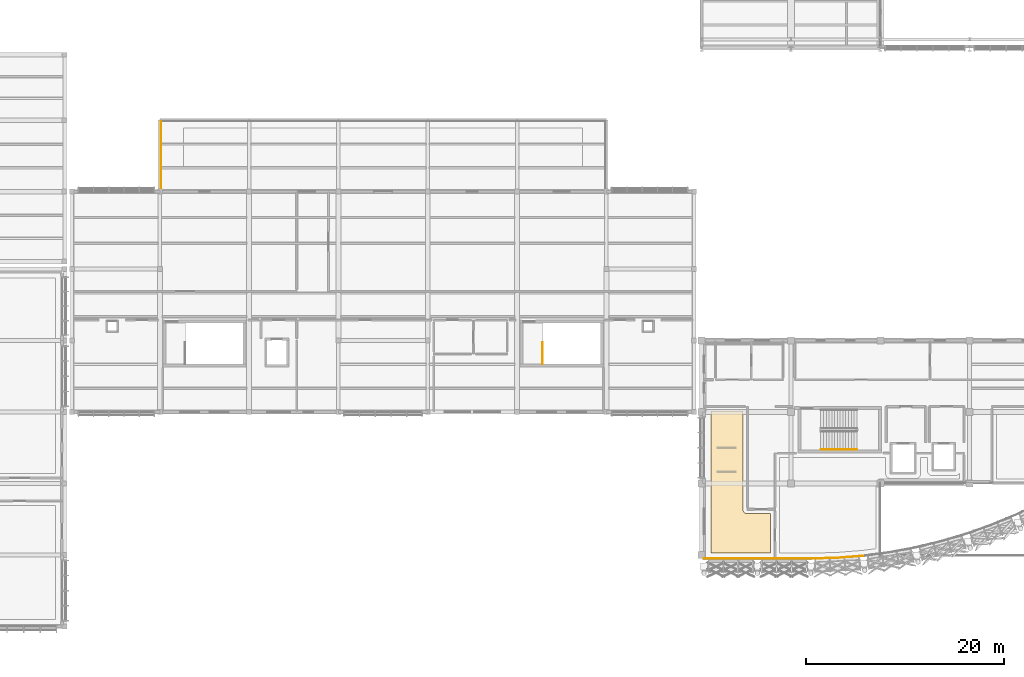
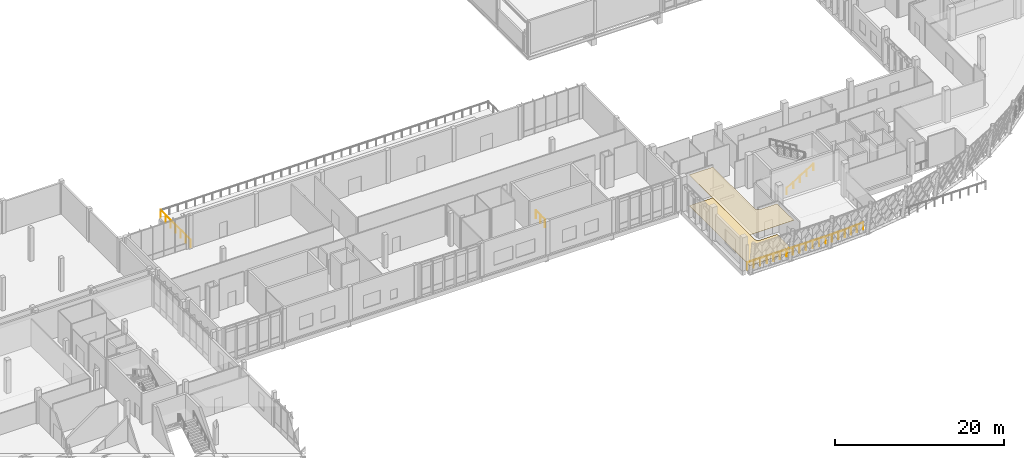
# One storey, part 168 of 177: 9 railings, 2 coverings.
"""IFC4 building model written with IfcOpenShell, lengths in metres."""

import ifcopenshell
import ifcopenshell.guid

model = None  # the IFC model being written
_history = None  # IfcOwnerHistory: only IFC2X3 demands one
_inside = {}  # id of a spatial element -> (the spatial element, [elements in it])
_under = {}  # id of a project, library or spatial element -> (it, [spatial elements below it])
_declared = {}  # id of a project -> (the project, [libraries it declares])
_typed = {}  # id of a type object -> (the type object, [elements of that type])
_made_of = {}  # id of a material, layer set ... -> (it, [elements and type objects made of it])


def new_model(schema):
    """Start an empty IFC model of exactly this schema.

    Asked for "IFC4X3", IfcOpenShell would pick the latest addendum, in which some entities
    have other attributes; the version numbers below select the first issue.
    IFC2X3 requires an IfcOwnerHistory on every rooted entity: one is made here for all.
    """
    global model, _history
    if schema == "IFC4X3":
        model = ifcopenshell.file(schema_version=(4, 3, 0, 0))
    else:
        model = ifcopenshell.file(schema=schema)
    _inside.clear()
    _under.clear()
    _declared.clear()
    _typed.clear()
    _made_of.clear()
    _history = None
    if model.schema == "IFC2X3":
        org = make("IfcOrganization", Name="unknown")
        user = make(
            "IfcPersonAndOrganization",
            ThePerson=make("IfcPerson", FamilyName="unknown"),
            TheOrganization=org,
        )
        app = make(
            "IfcApplication",
            ApplicationDeveloper=org,
            Version="unknown",
            ApplicationFullName="unknown",
            ApplicationIdentifier="unknown",
        )
        _history = make(
            "IfcOwnerHistory",
            OwningUser=user,
            OwningApplication=app,
            ChangeAction="ADDED",
            CreationDate=0,
        )
    return model


def make(cls, **values):
    """One entity of the class cls with the attributes given. An attribute that is None is left unset."""
    return model.create_entity(
        cls, **{name: value for name, value in values.items() if value is not None}
    )


def rooted(cls, **values):
    """An entity with a GlobalId (a new one), such as an element, a storey or a relation."""
    return make(cls, GlobalId=ifcopenshell.guid.new(), OwnerHistory=_history, **values)


def si_unit(unit_type, name, prefix=None):
    """IfcSIUnit, for example si_unit("LENGTHUNIT", "METRE", prefix="MILLI")."""
    return make("IfcSIUnit", UnitType=unit_type, Prefix=prefix, Name=name)


def assignment(units):
    """IfcUnitAssignment: the units of a project."""
    return None if units is None else make("IfcUnitAssignment", Units=units)


def point(xyz):
    """IfcCartesianPoint."""
    return None if xyz is None else make("IfcCartesianPoint", Coordinates=xyz)


def direction(xyz):
    """IfcDirection."""
    return None if xyz is None else make("IfcDirection", DirectionRatios=xyz)


def frame(location, z_axis=None, x_axis=None):
    """IfcAxis2Placement3D, a coordinate frame: its origin and axes. An axis left out is left unset."""
    return make(
        "IfcAxis2Placement3D",
        Location=point(location),
        Axis=direction(z_axis),
        RefDirection=direction(x_axis),
    )


def frame_2d(location, x_axis=None):
    """IfcAxis2Placement2D, a coordinate frame in the plane: its origin and x axis."""
    return make(
        "IfcAxis2Placement2D", Location=point(location), RefDirection=direction(x_axis)
    )


def origin():
    """The frame at (0, 0, 0) with its axes left unset."""
    return frame((0.0, 0.0, 0.0))


def origin_2d():
    """The frame at (0, 0) in the plane with its x axis left unset."""
    return frame_2d((0.0, 0.0))


def place(relative_to, where):
    """IfcLocalPlacement: puts the frame where relative to a parent placement (None: the world)."""
    return make(
        "IfcLocalPlacement", PlacementRelTo=relative_to, RelativePlacement=where
    )


def context(
    kind, dimensions, precision=None, world=None, true_north=None, identifier=None
):
    """IfcGeometricRepresentationContext, for example the 3D "Model" context."""
    return make(
        "IfcGeometricRepresentationContext",
        ContextIdentifier=identifier,
        ContextType=kind,
        CoordinateSpaceDimension=dimensions,
        Precision=precision,
        WorldCoordinateSystem=world,
        TrueNorth=true_north,
    )


def subcontext(parent, identifier, kind, view, scale=None):
    """IfcGeometricRepresentationSubContext, for example "Body" below "Model"."""
    return make(
        "IfcGeometricRepresentationSubContext",
        ContextIdentifier=identifier,
        ContextType=kind,
        ParentContext=parent,
        TargetScale=scale,
        TargetView=view,
    )


def project(units=None, contexts=None):
    """IfcProject with its units and contexts."""
    return rooted(
        "IfcProject",
        Name="project",
        RepresentationContexts=contexts,
        UnitsInContext=assignment(units),
    )


def spatial(cls, under=None, at=None, **own):
    """A site, building, storey or space (cls), placed at a placement, below another one or the project."""
    s = rooted(cls, ObjectPlacement=at, **own)
    if under is not None:
        _under.setdefault(under.id(), (under, []))[1].append(s)
    return s


def polyline(points):
    """IfcPolyline through the points."""
    return make("IfcPolyline", Points=[point(p) for p in points])


def profile(cls, at=None, kind="AREA", **sizes):
    """A parametric profile (cls). Its sizes go by their IFC names, for example OverallWidth=200.0."""
    return make(cls, ProfileType=kind, Position=at, **sizes)


def circle(**sizes):
    """IfcCircleProfileDef."""
    return profile("IfcCircleProfileDef", **sizes)


def outline(outer, holes=None, kind="AREA"):
    """IfcArbitraryClosedProfileDef: a profile drawn as a closed curve; with holes, ...WithVoids."""
    if holes is None:
        return make("IfcArbitraryClosedProfileDef", ProfileType=kind, OuterCurve=outer)
    return make(
        "IfcArbitraryProfileDefWithVoids",
        ProfileType=kind,
        OuterCurve=outer,
        InnerCurves=holes,
    )


def extrude(swept, where, along, depth):
    """IfcExtrudedAreaSolid: the profile swept, set in the frame where, extruded along a direction by depth."""
    return make(
        "IfcExtrudedAreaSolid",
        SweptArea=swept,
        Position=where,
        ExtrudedDirection=direction(along),
        Depth=depth,
    )


def shape(context_of_items, identifier, shape_type, items):
    """IfcShapeRepresentation: the items that make up one representation, for example the "Body"."""
    return make(
        "IfcShapeRepresentation",
        ContextOfItems=context_of_items,
        RepresentationIdentifier=identifier,
        RepresentationType=shape_type,
        Items=items,
    )


def material(Name=None, Category=None):
    """IfcMaterial."""
    return make("IfcMaterial", Name=Name, Category=Category)


def layer(
    of_material, thickness, ventilated=None, Name=None, Category=None, Priority=None
):
    """IfcMaterialLayer: one layer of a wall or slab, of a material (None: an air gap)."""
    return make(
        "IfcMaterialLayer",
        Material=of_material,
        LayerThickness=thickness,
        IsVentilated=ventilated,
        Name=Name,
        Category=Category,
        Priority=Priority,
    )


def layer_set(layers, Name=None):
    """IfcMaterialLayerSet."""
    return make("IfcMaterialLayerSet", MaterialLayers=layers, LayerSetName=Name)


def made_of(thing, what):
    """Note that an element or type object is made of a material, layer set ...; save() writes the relation."""
    if what is not None:
        _made_of.setdefault(what.id(), (what, []))[1].append(thing)
    return thing


def type_object(cls, material=None, **own):
    """A type object (cls), such as IfcWallType, which elements share."""
    return made_of(rooted(cls, **own), material)


def element(
    cls,
    number,
    at=None,
    inside=None,
    cuts=None,
    type_object=None,
    material=None,
    context=None,
    identifier="Body",
    shape_type=None,
    held_by="IfcProductDefinitionShape",
    body=None,
    shapes=None,
    **own,
):
    """One element of the class cls, such as IfcWall. Its Tag is "e" and its number.

    at: its placement. inside: the storey or other place that contains it. cuts: it is an
    opening in that element (IfcRelVoidsElement). A single representation is given by context,
    identifier, shape_type and body (its items); several are given by shapes. held_by: the class
    of the entity that holds the representations. save() writes the other relations.
    """
    e = rooted(cls, Tag="e%d" % number, ObjectPlacement=at, **own)
    if body is not None:
        shapes = [shape(context, identifier, shape_type, body)]
    if shapes is not None:
        e.Representation = make(held_by, Representations=shapes)
    if inside is not None:
        _inside.setdefault(inside.id(), (inside, []))[1].append(e)
    if cuts is not None:
        rooted(
            "IfcRelVoidsElement", RelatingBuildingElement=cuts, RelatedOpeningElement=e
        )
    if type_object is not None:
        _typed.setdefault(type_object.id(), (type_object, []))[1].append(e)
    return made_of(e, material)


def aggregate(whole, parts):
    """IfcRelAggregates: a whole, such as a stair, and the parts it consists of."""
    return rooted("IfcRelAggregates", RelatingObject=whole, RelatedObjects=parts)


def save(model, path):
    """Write the relations noted so far, then the file.

    IfcRelAggregates (storeys below a building ...), IfcRelContainedInSpatialStructure (elements
    in a storey), IfcRelDefinesByType, IfcRelAssociatesMaterial and IfcRelDeclares: one each for
    every whole, place, type object, material and project.
    """
    for whole, parts in _under.values():
        aggregate(whole, parts)
    for where, things in _inside.values():
        rooted(
            "IfcRelContainedInSpatialStructure",
            RelatedElements=things,
            RelatingStructure=where,
        )
    for kind, things in _typed.values():
        rooted("IfcRelDefinesByType", RelatedObjects=things, RelatingType=kind)
    for what, things in _made_of.values():
        rooted("IfcRelAssociatesMaterial", RelatedObjects=things, RelatingMaterial=what)
    for by, libraries in _declared.values():
        rooted("IfcRelDeclares", RelatingContext=by, RelatedDefinitions=libraries)
    model.write(path)


model = new_model("IFC4")

# Units and contexts
model_context = context("Model", 3, precision=1e-05, world=origin(), true_north=direction((0.0, 1.0)))
body_context = subcontext(model_context, "Body", "Model", "MODEL_VIEW")
ifc_project = project(units=[si_unit("LENGTHUNIT", "METRE"), si_unit("AREAUNIT", "SQUARE_METRE"), si_unit("VOLUMEUNIT", "CUBIC_METRE"), si_unit("PLANEANGLEUNIT", "RADIAN"), si_unit("MASSUNIT", "GRAM", prefix="KILO")], contexts=[model_context])

# Site, building, storey
site_placement = place(None, origin())
site = spatial("IfcSite", under=ifc_project, at=site_placement, CompositionType="ELEMENT")
building_placement = place(site_placement, origin())
building = spatial("IfcBuilding", under=site, at=building_placement, Name="Chiffa Square Polytechnic", CompositionType="ELEMENT")
storey_placement = place(building_placement, frame((0.0, 0.0, 4.800048828125)))
storey = spatial("IfcBuildingStorey", under=building, at=storey_placement, Name="L01", CompositionType="ELEMENT", Elevation=4.800048828125)

# Coverings
ifc_material_1 = material(Name="Perforated gypsum acoustic board")
ifc_layer_1 = layer(ifc_material_1, 0.02490234375, Name="Perforated gypsum acoustic board")
ifc_layer_set_1 = layer_set([ifc_layer_1], Name="Perforated gypsum acoustic board")
covering_type_1 = type_object("IfcCoveringType", Name="COV-CEIL-GYP", PredefinedType="CEILING", material=ifc_layer_set_1)
covering_1_placement = place(storey_placement, frame((0.0, 0.0, 4.45703125)))
element("IfcCovering", 1, at=covering_1_placement, inside=storey, type_object=covering_type_1, Name="Suspended acoustic ceiling CL-V1-L01-023", PredefinedType="CEILING", context=body_context, shape_type="SweptSolid", body=[
    extrude(outline(polyline([(116.35009765625, 21.699951171875), (116.35009765625, 11.800048828125), (116.35205078125, 11.756103515625), (116.35888671875, 11.7119140625), (116.368896484375, 11.6689453125), (116.384033203125, 11.6279296875), (116.403076171875, 11.587890625), (116.426025390625, 11.550048828125), (116.451904296875, 11.514892578125), (116.48193359375, 11.48193359375), (116.514892578125, 11.451904296875), (116.550048828125, 11.426025390625), (116.587890625, 11.403076171875), (116.6279296875, 11.384033203125), (116.6689453125, 11.368896484375), (116.7119140625, 11.35888671875), (116.756103515625, 11.35205078125), (116.800048828125, 11.35009765625), (119.14990234375, 11.35009765625), (119.14990234375, 7.3779296875), (113.1201171875, 7.3779296875), (113.1201171875, 21.699951171875), (116.35009765625, 21.699951171875)])), origin(), (0.0, 0.0, 1.0), 0.02490234375),
])
ifc_material_2 = material(Name="Polished cementitious terrazzo")
ifc_layer_2 = layer(ifc_material_2, 0.0400390625, Name="Polished cementitious terrazzo")
ifc_layer_set_2 = layer_set([ifc_layer_2], Name="Polished cementitious terrazzo")
covering_type_2 = type_object("IfcCoveringType", Name="COV-FLR-TERRAZZO", PredefinedType="FLOORING", material=ifc_layer_set_2)
covering_2_placement = place(storey_placement, origin())
element("IfcCovering", 2, at=covering_2_placement, inside=storey, type_object=covering_type_2, Name="Polished terrazzo floor finish FL-V1-L01-022", PredefinedType="FLOORING", context=body_context, shape_type="SweptSolid", body=[
    extrude(outline(polyline([(116.35009765625, 21.699951171875), (116.35009765625, 11.800048828125), (116.35205078125, 11.756103515625), (116.35888671875, 11.7119140625), (116.368896484375, 11.6689453125), (116.384033203125, 11.6279296875), (116.403076171875, 11.587890625), (116.426025390625, 11.550048828125), (116.451904296875, 11.514892578125), (116.48193359375, 11.48193359375), (116.514892578125, 11.451904296875), (116.550048828125, 11.426025390625), (116.587890625, 11.403076171875), (116.6279296875, 11.384033203125), (116.6689453125, 11.368896484375), (116.7119140625, 11.35888671875), (116.756103515625, 11.35205078125), (116.800048828125, 11.35009765625), (119.14990234375, 11.35009765625), (119.14990234375, 7.3779296875), (113.1201171875, 7.3779296875), (113.1201171875, 21.699951171875), (116.35009765625, 21.699951171875)])), origin(), (0.0, 0.0, 1.0), 0.0400390625),
])

# Railings
ifc_material_3 = material(Name="Steel S355", Category="steel")
ifc_layer_3 = layer(ifc_material_3, 0.050048828125, Name="Steel S355")
ifc_layer_set_3 = layer_set([ifc_layer_3], Name="Steel S355")
railing_type_1 = type_object("IfcRailingType", Name="RL-STAIR-GUARD", PredefinedType="GUARDRAIL", material=ifc_layer_set_3)
railing_1_placement = place(storey_placement, frame((96.14990234375, 26.449951171875, 0.0)))
element("IfcRailing", 3, at=railing_1_placement, inside=storey, type_object=railing_type_1, Name="L01 ST-V4B top well guard 1", PredefinedType="GUARDRAIL", context=body_context, shape_type="SweptSolid", body=[
    extrude(circle(Radius=0.02392578125, at=origin_2d()), frame((0.0, 0.0, 1.076171875), z_axis=(0.0, 1.0, 0.0), x_axis=(-1.0, 0.0, 0.0)), (0.0, 0.0, 1.0), 2.150146484375),
    extrude(circle(Radius=0.02099609375, at=origin_2d()), origin(), (0.0, 0.0, 1.0), 1.052001953125),
    extrude(circle(Radius=0.02099609375, at=origin_2d()), frame((0.0, 1.0751953125, 0.0)), (0.0, 0.0, 1.0), 1.052001953125),
    extrude(circle(Radius=0.02099609375, at=origin_2d()), frame((0.0, 2.150146484375, 0.0)), (0.0, 0.0, 1.0), 1.052001953125),
])
railing_2_placement = place(storey_placement, frame((112.449951171875, 6.827880859375, 0.0)))
element("IfcRailing", 4, at=railing_2_placement, inside=storey, type_object=railing_type_1, Name="Faculty L01 perimeter safety guard GR-V1-L01-PERIM-01", PredefinedType="GUARDRAIL", context=body_context, shape_type="SweptSolid", body=[
    extrude(circle(Radius=0.02392578125, at=origin_2d()), frame((0.0, 0.0, 1.076171875), z_axis=(1.0, 0.0, 0.0), x_axis=(0.0, 1.0, 0.0)), (0.0, 0.0, 1.0), 2.68798828125),
    extrude(circle(Radius=0.02099609375, at=origin_2d()), origin(), (0.0, 0.0, 1.0), 1.052001953125),
    extrude(circle(Radius=0.02099609375, at=origin_2d()), frame((0.89599609375, 0.0, 0.0)), (0.0, 0.0, 1.0), 1.052001953125),
    extrude(circle(Radius=0.02099609375, at=origin_2d()), frame((1.7919921875, 0.0, 0.0)), (0.0, 0.0, 1.0), 1.052001953125),
    extrude(circle(Radius=0.02099609375, at=origin_2d()), frame((2.68798828125, 0.0, 0.0)), (0.0, 0.0, 1.0), 1.052001953125),
])
railing_3_placement = place(storey_placement, frame((115.137939453125, 6.827880859375, 0.0)))
element("IfcRailing", 5, at=railing_3_placement, inside=storey, type_object=railing_type_1, Name="Faculty L01 perimeter safety guard GR-V1-L01-PERIM-02", PredefinedType="GUARDRAIL", context=body_context, shape_type="SweptSolid", body=[
    extrude(circle(Radius=0.02392578125, at=origin_2d()), frame((0.0, 0.0, 1.076171875), z_axis=(1.0, 0.0, 0.0), x_axis=(0.0, 1.0, 0.0)), (0.0, 0.0, 1.0), 2.68701171875),
    extrude(circle(Radius=0.02099609375, at=origin_2d()), origin(), (0.0, 0.0, 1.0), 1.052001953125),
    extrude(circle(Radius=0.02099609375, at=origin_2d()), frame((0.895751953125, 0.0, 0.0)), (0.0, 0.0, 1.0), 1.052001953125),
    extrude(circle(Radius=0.02099609375, at=origin_2d()), frame((1.791259765625, 0.0, 0.0)), (0.0, 0.0, 1.0), 1.052001953125),
    extrude(circle(Radius=0.02099609375, at=origin_2d()), frame((2.68701171875, 0.0, 0.0)), (0.0, 0.0, 1.0), 1.052001953125),
])
railing_4_placement = place(storey_placement, frame((117.824951171875, 6.827880859375, 0.0)))
element("IfcRailing", 6, at=railing_4_placement, inside=storey, type_object=railing_type_1, Name="Faculty L01 perimeter safety guard GR-V1-L01-PERIM-03", PredefinedType="GUARDRAIL", context=body_context, shape_type="SweptSolid", body=[
    extrude(circle(Radius=0.02392578125, at=origin_2d()), frame((0.0, 0.0, 1.076171875), z_axis=(1.0, 0.0, 0.0), x_axis=(0.0, 1.0, 0.0)), (0.0, 0.0, 1.0), 2.68798828125),
    extrude(circle(Radius=0.02099609375, at=origin_2d()), origin(), (0.0, 0.0, 1.0), 1.052001953125),
    extrude(circle(Radius=0.02099609375, at=origin_2d()), frame((0.89599609375, 0.0, 0.0)), (0.0, 0.0, 1.0), 1.052001953125),
    extrude(circle(Radius=0.02099609375, at=origin_2d()), frame((1.7919921875, 0.0, 0.0)), (0.0, 0.0, 1.0), 1.052001953125),
    extrude(circle(Radius=0.02099609375, at=origin_2d()), frame((2.68798828125, 0.0, 0.0)), (0.0, 0.0, 1.0), 1.052001953125),
])
railing_5_placement = place(storey_placement, frame((120.512939453125, 6.827880859375, 0.0)))
element("IfcRailing", 7, at=railing_5_placement, inside=storey, type_object=railing_type_1, Name="Faculty L01 perimeter safety guard GR-V1-L01-PERIM-04", PredefinedType="GUARDRAIL", context=body_context, shape_type="SweptSolid", body=[
    extrude(circle(Radius=0.02392578125, at=origin_2d()), frame((0.0, 0.0, 1.076171875), z_axis=(1.0, 0.0, 0.0), x_axis=(0.0, 1.0, 0.0)), (0.0, 0.0, 1.0), 2.68701171875),
    extrude(circle(Radius=0.02099609375, at=origin_2d()), origin(), (0.0, 0.0, 1.0), 1.052001953125),
    extrude(circle(Radius=0.02099609375, at=origin_2d()), frame((0.895751953125, 0.0, 0.0)), (0.0, 0.0, 1.0), 1.052001953125),
    extrude(circle(Radius=0.02099609375, at=origin_2d()), frame((1.791259765625, 0.0, 0.0)), (0.0, 0.0, 1.0), 1.052001953125),
    extrude(circle(Radius=0.02099609375, at=origin_2d()), frame((2.68701171875, 0.0, 0.0)), (0.0, 0.0, 1.0), 1.052001953125),
])
railing_6_placement = place(storey_placement, frame((123.199951171875, 6.827880859375, 0.0)))
element("IfcRailing", 8, at=railing_6_placement, inside=storey, type_object=railing_type_1, Name="Faculty L01 perimeter safety guard GR-V1-L01-PERIM-05", PredefinedType="GUARDRAIL", context=body_context, shape_type="SweptSolid", body=[
    extrude(circle(Radius=0.02392578125, at=origin_2d()), frame((0.0, 0.0, 1.076171875), z_axis=(0.999649047603, 0.02649116128, 0.0), x_axis=(-0.02649116128, 0.999649047603, 0.0)), (0.0, 0.0, 1.0), 2.64501953125),
    extrude(circle(Radius=0.02099609375, at=origin_2d()), origin(), (0.0, 0.0, 1.0), 1.052001953125),
    extrude(circle(Radius=0.02099609375, at=origin_2d()), frame((0.88134765625, 0.0234375, 0.0)), (0.0, 0.0, 1.0), 1.052001953125),
    extrude(circle(Radius=0.02099609375, at=origin_2d()), frame((1.7626953125, 0.046630859375, 0.0)), (0.0, 0.0, 1.0), 1.052001953125),
    extrude(circle(Radius=0.02099609375, at=origin_2d()), frame((2.64404296875, 0.070068359375, 0.0)), (0.0, 0.0, 1.0), 1.052001953125),
])
railing_7_placement = place(storey_placement, frame((125.843994140625, 6.89794921875, 0.0)))
element("IfcRailing", 9, at=railing_7_placement, inside=storey, type_object=railing_type_1, Name="Faculty L01 perimeter safety guard GR-V1-L01-PERIM-06", PredefinedType="GUARDRAIL", context=body_context, shape_type="SweptSolid", body=[
    extrude(circle(Radius=0.02392578125, at=origin_2d()), frame((0.0, 0.0, 1.076171875), z_axis=(0.996932167259, 0.078270389578, 0.0), x_axis=(-0.078270389578, 0.996932167259, 0.0)), (0.0, 0.0, 1.0), 2.64501953125),
    extrude(circle(Radius=0.02099609375, at=origin_2d()), origin(), (0.0, 0.0, 1.0), 1.052001953125),
    extrude(circle(Radius=0.02099609375, at=origin_2d()), frame((0.87890625, 0.069091796875, 0.0)), (0.0, 0.0, 1.0), 1.052001953125),
    extrude(circle(Radius=0.02099609375, at=origin_2d()), frame((1.758056640625, 0.137939453125, 0.0)), (0.0, 0.0, 1.0), 1.052001953125),
    extrude(circle(Radius=0.02099609375, at=origin_2d()), frame((2.636962890625, 0.20703125, 0.0)), (0.0, 0.0, 1.0), 1.052001953125),
])
ifc_layer_4 = layer(ifc_material_3, 0.044921875, Name="Steel S355")
ifc_layer_set_4 = layer_set([ifc_layer_4], Name="Steel S355")
railing_type_2 = type_object("IfcRailingType", Name="RL-STAIR-HAND", PredefinedType="HANDRAIL", material=ifc_layer_set_4)
railing_8_placement = place(storey_placement, frame((124.199951171875, 17.800048828125, 0.17138671875)))
element("IfcRailing", 10, at=railing_8_placement, inside=storey, type_object=railing_type_2, Name="L01 ST-V1A stair handrail 1", PredefinedType="HANDRAIL", context=body_context, shape_type="SweptSolid", body=[
    extrude(circle(Radius=0.02392578125, at=origin_2d()), frame((0.0, 0.0, 0.89599609375), z_axis=(0.852865859571, 0.0, 0.52213008492), x_axis=(0.0, 1.0, 0.0)), (0.0, 0.0, 1.0), 4.26806640625),
    extrude(circle(Radius=0.02099609375, at=origin_2d()), origin(), (0.0, 0.0, 1.0), 0.871826171875),
    extrude(circle(Radius=0.02099609375, at=origin_2d()), frame((0.91015625, 0.0, 0.55712890625)), (0.0, 0.0, 1.0), 0.871826171875),
    extrude(circle(Radius=0.02099609375, at=origin_2d()), frame((1.820068359375, 0.0, 1.1142578125)), (0.0, 0.0, 1.0), 0.871826171875),
    extrude(circle(Radius=0.02099609375, at=origin_2d()), frame((2.72998046875, 0.0, 1.67138671875)), (0.0, 0.0, 1.0), 0.871826171875),
    extrude(circle(Radius=0.02099609375, at=origin_2d()), frame((3.64013671875, 0.0, 2.228515625)), (0.0, 0.0, 1.0), 0.871826171875),
])
ifc_layer_5 = layer(ifc_material_3, 0.06005859375, Name="Steel S355")
ifc_layer_set_5 = layer_set([ifc_layer_5], Name="Steel S355")
railing_type_3 = type_object("IfcRailingType", Name="RL-TERR-1100", PredefinedType="BALUSTRADE", material=ifc_layer_set_5)
railing_9_placement = place(storey_placement, frame((57.699951171875, 43.800048828125, 0.0)))
element("IfcRailing", 11, at=railing_9_placement, inside=storey, type_object=railing_type_3, Name="Terrace safety guard GR-TERR-V4-L01-1", PredefinedType="BALUSTRADE", context=body_context, shape_type="SweptSolid", body=[
    extrude(circle(Radius=0.02392578125, at=origin_2d()), frame((0.0, 0.0, 1.076171875), z_axis=(0.0, 1.0, 0.0), x_axis=(-1.0, 0.0, 0.0)), (0.0, 0.0, 1.0), 7.099853515625),
    extrude(circle(Radius=0.02099609375, at=origin_2d()), origin(), (0.0, 0.0, 1.0), 1.052001953125),
    extrude(circle(Radius=0.02099609375, at=origin_2d()), frame((0.0, 1.183349609375, 0.0)), (0.0, 0.0, 1.0), 1.052001953125),
    extrude(circle(Radius=0.02099609375, at=origin_2d()), frame((0.0, 2.36669921875, 0.0)), (0.0, 0.0, 1.0), 1.052001953125),
    extrude(circle(Radius=0.02099609375, at=origin_2d()), frame((0.0, 3.5498046875, 0.0)), (0.0, 0.0, 1.0), 1.052001953125),
    extrude(circle(Radius=0.02099609375, at=origin_2d()), frame((0.0, 4.733154296875, 0.0)), (0.0, 0.0, 1.0), 1.052001953125),
    extrude(circle(Radius=0.02099609375, at=origin_2d()), frame((0.0, 5.91650390625, 0.0)), (0.0, 0.0, 1.0), 1.052001953125),
    extrude(circle(Radius=0.02099609375, at=origin_2d()), frame((0.0, 7.099853515625, 0.0)), (0.0, 0.0, 1.0), 1.052001953125),
])

save(model, "model.ifc")
